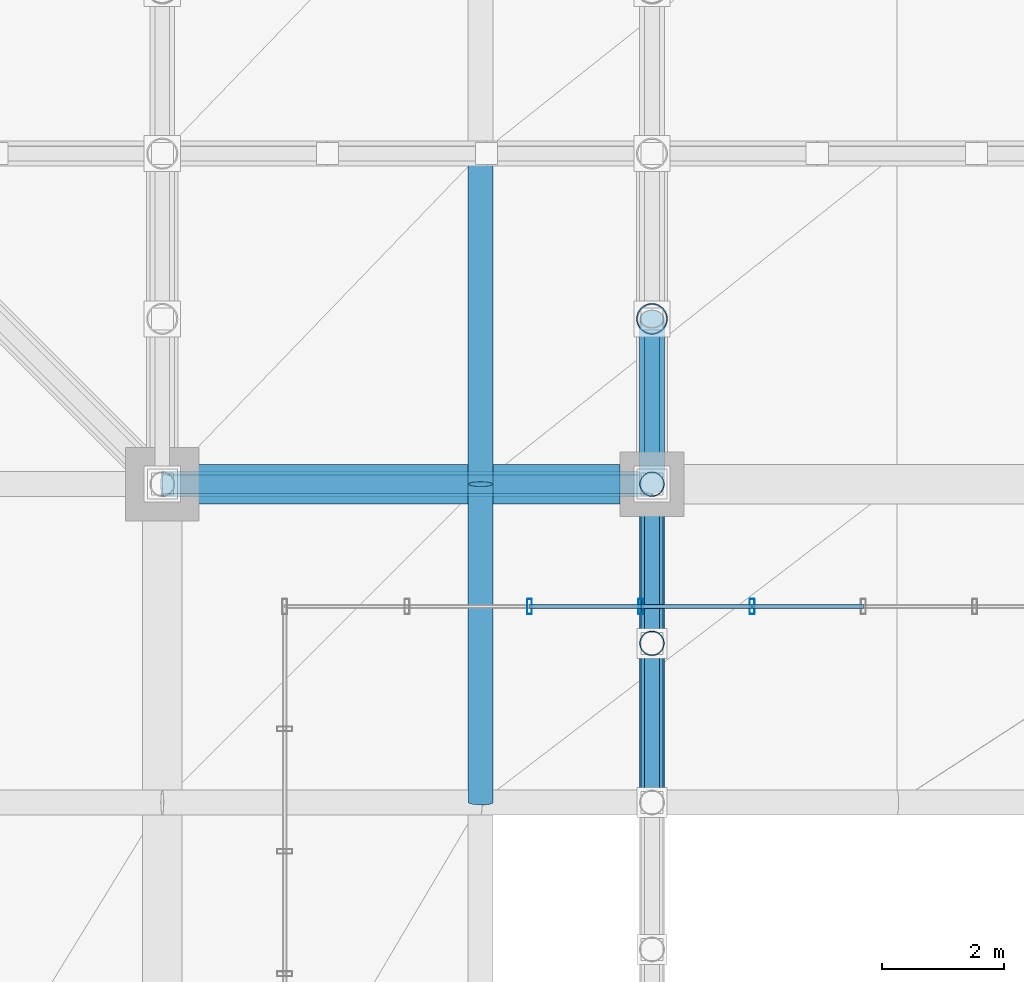
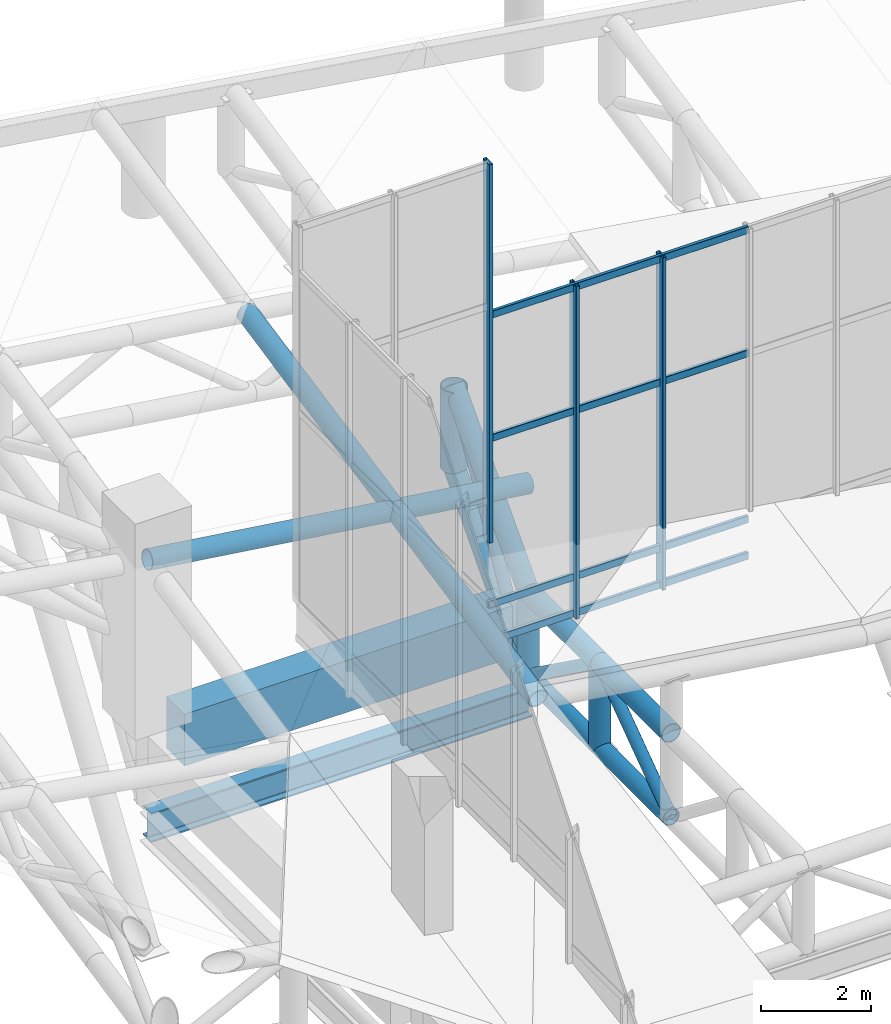
# One storey, part 42 of 137: 30 members, 2 beams, 2 elements without a shape of their own.
"""IFC4 building model written with IfcOpenShell, lengths in metres."""

from ifc_helpers import new_model, si_unit, direction, frame, origin, origin_2d, place, context, subcontext, project, spatial, rectangle, hollow_rectangle, hollow_circle, i_section, extrude, material, layer, layer_set, material_profile, profile_set, type_object, element, aggregate, save


model = new_model("IFC4")

# Units and contexts
model_context = context("Model", 3, precision=1e-05, world=origin(), true_north=direction((0.0, 1.0)))
body_context = subcontext(model_context, "Body", "Model", "MODEL_VIEW")
ifc_project = project(units=[si_unit("LENGTHUNIT", "METRE"), si_unit("AREAUNIT", "SQUARE_METRE"), si_unit("VOLUMEUNIT", "CUBIC_METRE"), si_unit("PLANEANGLEUNIT", "RADIAN"), si_unit("MASSUNIT", "GRAM", prefix="KILO")], contexts=[model_context])

# Site, building, storey
site_placement = place(None, origin())
site = spatial("IfcSite", under=ifc_project, at=site_placement, CompositionType="ELEMENT")
building_placement = place(site_placement, origin())
building = spatial("IfcBuilding", under=site, at=building_placement, Name="Khorjan Park Terminus", CompositionType="ELEMENT")
storey_placement = place(building_placement, frame((0.0, 0.0, 11.4)))
storey = spatial("IfcBuildingStorey", under=building, at=storey_placement, Name="L02", CompositionType="ELEMENT", Elevation=11.4)

# Members
ifc_material_1 = material(Name="Steel S355", Category="steel")
ifc_material_profile_1 = material_profile(ifc_material_1, hollow_circle(Radius=0.1222, WallThickness=0.0125, at=origin_2d()), Name="CHS 244.5x12.5")
ifc_profile_set_1 = profile_set([ifc_material_profile_1], Name="Steel S355")
member_type_1 = type_object("IfcMemberType", Name="MB-BR-245", PredefinedType="BRACE", material=ifc_profile_set_1)
for number, where, z_axis, x_axis, name in (
    (1, (56.0, 82.8, -1.92), (0.0, 0.811830357573, 0.583893372562), (-1.0, 0.0, 0.0), "Lower shell cantilever truss diagonal (2N)"),
    (2, (56.0, 85.4, -0.05), (0.0, 0.811830357573, -0.583893372562), (-1.0, 0.0, 0.0), "Lower shell cantilever truss diagonal (2N)"),
):
    element("IfcMember", number, at=place(storey_placement, frame(where, z_axis=z_axis, x_axis=x_axis)), inside=storey, type_object=member_type_1, Name=name, PredefinedType="BRACE", context=body_context, shape_type="SweptSolid", body=[
        extrude(hollow_circle(Radius=0.1222, WallThickness=0.0125, at=origin_2d()), origin(), (0.0, 0.0, 1.0), 3.2026),
    ])
ifc_material_profile_2 = material_profile(ifc_material_1, hollow_circle(Radius=0.1222, WallThickness=0.0125, at=origin_2d()), Name="CHS 244.5x12.5")
ifc_profile_set_2 = profile_set([ifc_material_profile_2], Name="Steel S355")
member_type_2 = type_object("IfcMemberType", Name="MB-BRE-245", PredefinedType="BRACE", material=ifc_profile_set_2)
member_1_placement = place(storey_placement, frame((56.0, 88.0, -1.92), z_axis=(0.0, 0.489695395281, 0.871893582865), x_axis=(-1.0, 0.0, 0.0)))
element("IfcMember", 3, at=member_1_placement, inside=storey, type_object=member_type_2, Name="Lower shell cantilever truss diagonal (2N)", PredefinedType="BRACE", context=body_context, shape_type="SweptSolid", body=[
    extrude(hollow_circle(Radius=0.1222, WallThickness=0.0125, at=origin_2d()), origin(), (0.0, 0.0, 1.0), 5.5136),
])
ifc_material_profile_3 = material_profile(ifc_material_1, hollow_circle(Radius=0.1778, WallThickness=0.016, at=origin_2d()), Name="CHS 355.6x16")
ifc_profile_set_3 = profile_set([ifc_material_profile_3], Name="Steel S355")
member_type_3 = type_object("IfcMemberType", Name="MB-CH-356", PredefinedType="CHORD", material=ifc_profile_set_3)
for number, where, z_axis, x_axis, name in (
    (4, (56.0, 82.8, -1.92), (0.0, 1.0, 0.0), (-1.0, 0.0, 0.0), "Lower shell cantilever truss bottom chord (2N)"),
    (5, (56.0, 85.4, -1.92), (0.0, 1.0, 0.0), (-1.0, 0.0, 0.0), "Lower shell cantilever truss bottom chord (2N)"),
):
    element("IfcMember", number, at=place(storey_placement, frame(where, z_axis=z_axis, x_axis=x_axis)), inside=storey, type_object=member_type_3, Name=name, PredefinedType="CHORD", context=body_context, shape_type="SweptSolid", body=[
        extrude(hollow_circle(Radius=0.1778, WallThickness=0.016, at=origin_2d()), origin(), (0.0, 0.0, 1.0), 2.6),
    ])
ifc_material_profile_4 = material_profile(ifc_material_1, hollow_circle(Radius=0.2032, WallThickness=0.016, at=origin_2d()), Name="CHS 406.4x16")
ifc_profile_set_4 = profile_set([ifc_material_profile_4], Name="Steel S355")
member_type_4 = type_object("IfcMemberType", Name="MB-CH-406", PredefinedType="CHORD", material=ifc_profile_set_4)
member_2_placement = place(storey_placement, frame((53.2, 82.8, 1.6975), z_axis=(0.0, 0.979804962844, 0.199955582033), x_axis=(-1.0, 0.0, 0.0)))
element("IfcMember", 6, at=member_2_placement, inside=storey, type_object=member_type_4, Name="Lower wrapping shell rim chord (135)", PredefinedType="CHORD", context=body_context, shape_type="SweptSolid", body=[
    extrude(hollow_circle(Radius=0.2032, WallThickness=0.016, at=origin_2d()), origin(), (0.0, 0.0, 1.0), 5.3072),
])
for number, where, z_axis, x_axis, name in (
    (7, (56.0, 82.8, -0.05), (0.0, 1.0, 0.0), (-1.0, 0.0, 0.0), "Lower shell cantilever truss top chord (2N)"),
    (8, (56.0, 85.4, -0.05), (0.0, 1.0, 0.0), (-1.0, 0.0, 0.0), "Lower shell cantilever truss top chord (2N)"),
):
    element("IfcMember", number, at=place(storey_placement, frame(where, z_axis=z_axis, x_axis=x_axis)), inside=storey, type_object=member_type_4, Name=name, PredefinedType="CHORD", context=body_context, shape_type="SweptSolid", body=[
        extrude(hollow_circle(Radius=0.2032, WallThickness=0.016, at=origin_2d()), origin(), (0.0, 0.0, 1.0), 2.6),
    ])
ifc_material_profile_5 = material_profile(ifc_material_1, hollow_circle(Radius=0.2032, WallThickness=0.016, at=origin_2d()), Name="CHS 406.4x16")
ifc_profile_set_5 = profile_set([ifc_material_profile_5], Name="Steel S355")
member_type_5 = type_object("IfcMemberType", Name="MB-CHE-406", PredefinedType="CHORD", material=ifc_profile_set_5)
member_3_placement = place(storey_placement, frame((48.0, 88.0, 3.4471), z_axis=(0.990628641265, 0.0, -0.136582923914), x_axis=(0.0, 1.0, 0.0)))
element("IfcMember", 9, at=member_3_placement, inside=storey, type_object=member_type_5, Name="Lower wrapping shell rim chord (107)", PredefinedType="CHORD", context=body_context, shape_type="SweptSolid", body=[
    extrude(hollow_circle(Radius=0.2032, WallThickness=0.016, at=origin_2d()), origin(), (0.0, 0.0, 1.0), 8.0757),
])
member_4_placement = place(storey_placement, frame((53.2, 88.0, 2.7587), z_axis=(0.0, 0.979805509738, 0.199952902172), x_axis=(-1.0, 0.0, 0.0)))
element("IfcMember", 10, at=member_4_placement, inside=storey, type_object=member_type_5, Name="Lower wrapping shell rim chord (136)", PredefinedType="CHORD", context=body_context, shape_type="SweptSolid", body=[
    extrude(hollow_circle(Radius=0.2032, WallThickness=0.016, at=origin_2d()), origin(), (0.0, 0.0, 1.0), 5.5113),
])
member_5_placement = place(storey_placement, frame((56.0, 88.0, -0.05), z_axis=(0.0, 0.676742076537, 0.736220185708), x_axis=(-1.0, 0.0, 0.0)))
element("IfcMember", 11, at=member_5_placement, inside=storey, type_object=member_type_5, Name="Lower shell cantilever truss top chord (2N)", PredefinedType="CHORD", context=body_context, shape_type="SweptSolid", body=[
    extrude(hollow_circle(Radius=0.2032, WallThickness=0.016, at=origin_2d()), origin(), (0.0, 0.0, 1.0), 3.9897),
])
member_6_placement = place(storey_placement, frame((56.0, 88.0, -1.92), z_axis=(0.0, 0.668066106511, 0.744101926708), x_axis=(-1.0, 0.0, 0.0)))
element("IfcMember", 12, at=member_6_placement, inside=storey, type_object=member_type_5, Name="Lower shell cantilever truss bottom chord (2N)", PredefinedType="CHORD", context=body_context, shape_type="SweptSolid", body=[
    extrude(hollow_circle(Radius=0.2032, WallThickness=0.016, at=origin_2d()), origin(), (0.0, 0.0, 1.0), 4.0415),
])
ifc_material_profile_6 = material_profile(ifc_material_1, hollow_circle(Radius=0.2032, WallThickness=0.016, at=origin_2d()), Name="CHS 406.4x16")
ifc_profile_set_6 = profile_set([ifc_material_profile_6], Name="Steel S355")
member_type_6 = type_object("IfcMemberType", Name="MB-ST-406", PredefinedType="STRUT", material=ifc_profile_set_6)
for number, where, z_axis, x_axis, name in (
    (13, (56.0, 85.4, -1.92), (0.0, 0.0, 1.0), (1.0, 0.0, 0.0), "Lower shell cantilever truss post (2N)"),
    (14, (56.0, 88.0, -1.92), (0.0, 0.0, 1.0), (1.0, 0.0, 0.0), "Lower shell cantilever truss post (2N)"),
):
    element("IfcMember", number, at=place(storey_placement, frame(where, z_axis=z_axis, x_axis=x_axis)), inside=storey, type_object=member_type_6, Name=name, PredefinedType="STRUT", context=body_context, shape_type="SweptSolid", body=[
        extrude(hollow_circle(Radius=0.2032, WallThickness=0.016, at=origin_2d()), origin(), (0.0, 0.0, 1.0), 1.87),
    ])
ifc_material_profile_7 = material_profile(ifc_material_1, hollow_circle(Radius=0.254, WallThickness=0.02, at=origin_2d()), Name="CHS 508x20")
ifc_profile_set_7 = profile_set([ifc_material_profile_7], Name="Steel S355")
member_type_7 = type_object("IfcMemberType", Name="MB-STE-508", PredefinedType="STRUT", material=ifc_profile_set_7)
member_7_placement = place(storey_placement, frame((56.0, 90.7, 1.0873), z_axis=(0.0, 0.0, 1.0), x_axis=(1.0, 0.0, 0.0)))
element("IfcMember", 15, at=member_7_placement, inside=storey, type_object=member_type_7, Name="Lower shell cantilever truss post (2N)", PredefinedType="STRUT", context=body_context, shape_type="SweptSolid", body=[
    extrude(hollow_circle(Radius=0.254, WallThickness=0.02, at=origin_2d()), origin(), (0.0, 0.0, 1.0), 1.8),
])

# Curtain wall, member
ifc_material_2 = material(Name="Anodized Bronze Aluminium", Category="aluminium")
ifc_layer = layer(ifc_material_2, 0.22)
ifc_layer_set = layer_set([ifc_layer], Name="Anodized Bronze Aluminium")
curtain_wall_type = type_object("IfcCurtainWallType", Name="CW-CONC-CLR", PredefinedType="NOTDEFINED", material=ifc_layer_set)
curtain_wall_1_placement = place(storey_placement, origin())
curtain_wall_1 = element("IfcCurtainWall", 16, at=curtain_wall_1_placement, inside=storey, type_object=curtain_wall_type, Name="Unitized curtain wall CW-CL (CW-V2-N-CLR-01)", PredefinedType="NOTDEFINED")
ifc_material_profile_8 = material_profile(ifc_material_2, hollow_rectangle(XDim=0.08, YDim=0.25, WallThickness=0.005, InnerFilletRadius=0.005, OuterFilletRadius=0.01, at=origin_2d()), Name="ALM 80x250x5")
ifc_profile_set_8 = profile_set([ifc_material_profile_8], Name="Anodized Bronze Aluminium")
member_type_8 = type_object("IfcMemberType", Name="ML-ALM-250", PredefinedType="MULLION", material=ifc_profile_set_8)
member_8_placement = place(storey_placement, frame((54.0, 86.0, 3.0059), z_axis=(0.0, 0.0, 1.0), x_axis=(-1.0, 0.0, 0.0)))
member_8 = element("IfcMember", 17, at=member_8_placement, type_object=member_type_8, Name="Curtain-wall mullion ML-25 (CW-V2-N-CLR-01-0)", PredefinedType="MULLION", context=body_context, shape_type="SweptSolid", body=[
    extrude(hollow_rectangle(XDim=0.08, YDim=0.25, WallThickness=0.005, InnerFilletRadius=0.005, OuterFilletRadius=0.01, at=origin_2d()), origin(), (0.0, 0.0, 1.0), 8.4011),
])
aggregate(curtain_wall_1, [member_8])

# Curtain wall, members
curtain_wall_2_placement = place(storey_placement, origin())
curtain_wall_2 = element("IfcCurtainWall", 18, at=curtain_wall_2_placement, inside=storey, type_object=curtain_wall_type, Name="Unitized curtain wall CW-CL (CW-V2-N-CLR-02)", PredefinedType="NOTDEFINED")
member_9_placement = place(storey_placement, frame((57.6364, 86.0, 0.6813), z_axis=(0.0, 0.0, 1.0), x_axis=(-1.0, 0.0, 0.0)))
member_9 = element("IfcMember", 19, at=member_9_placement, type_object=member_type_8, Name="Curtain-wall mullion ML-25 (CW-V2-N-CLR-02-9)", PredefinedType="MULLION", context=body_context, shape_type="SweptSolid", body=[
    extrude(hollow_rectangle(XDim=0.08, YDim=0.25, WallThickness=0.005, InnerFilletRadius=0.005, OuterFilletRadius=0.01, at=origin_2d()), origin(), (0.0, 0.0, 1.0), 7.382),
])
member_10_placement = place(storey_placement, frame((55.8182, 86.0, 0.6813), z_axis=(0.0, 0.0, 1.0), x_axis=(-1.0, 0.0, 0.0)))
member_10 = element("IfcMember", 20, at=member_10_placement, type_object=member_type_8, Name="Curtain-wall mullion ML-25 (CW-V2-N-CLR-02-10)", PredefinedType="MULLION", context=body_context, shape_type="SweptSolid", body=[
    extrude(hollow_rectangle(XDim=0.08, YDim=0.25, WallThickness=0.005, InnerFilletRadius=0.005, OuterFilletRadius=0.01, at=origin_2d()), origin(), (0.0, 0.0, 1.0), 7.382),
])

# Beams
ifc_material_profile_9 = material_profile(ifc_material_1, i_section(OverallWidth=0.3, OverallDepth=0.65, WebThickness=0.016, FlangeThickness=0.031, FilletRadius=0.027, at=origin_2d()), Name="HEB 650")
ifc_profile_set_9 = profile_set([ifc_material_profile_9], Name="Steel S355")
beam_type_1 = type_object("IfcBeamType", Name="SP-HEB650E", PredefinedType="SPANDREL", material=ifc_profile_set_9)
beam_1_placement = place(storey_placement, frame((48.0, 88.0, -2.425), z_axis=(1.0, 0.0, 0.0), x_axis=(0.0, 1.0, 0.0)))
element("IfcBeam", 21, at=beam_1_placement, inside=storey, type_object=beam_type_1, Name="Lower shell truss support girder SP-E65 (X12)", PredefinedType="SPANDREL", context=body_context, shape_type="SweptSolid", body=[
    extrude(i_section(OverallWidth=0.3, OverallDepth=0.65, WebThickness=0.016, FlangeThickness=0.031, FilletRadius=0.027, at=origin_2d()), origin(), (0.0, 0.0, 1.0), 8.0),
])
ifc_material_3 = material(Name="Concrete C50/60", Category="concrete")
ifc_material_profile_10 = material_profile(ifc_material_3, rectangle(XDim=0.65, YDim=1.15, at=origin_2d()), Name="RC 650x1150")
ifc_profile_set_10 = profile_set([ifc_material_profile_10], Name="Concrete C50/60")
beam_type_2 = type_object("IfcBeamType", Name="SP-RC650x1150", PredefinedType="SPANDREL", material=ifc_profile_set_10)
beam_2_placement = place(storey_placement, frame((48.595, 88.0, -0.575), z_axis=(1.0, 0.0, 0.0), x_axis=(0.0, 1.0, 0.0)))
element("IfcBeam", 22, at=beam_2_placement, inside=storey, type_object=beam_type_2, Name="Concourse lower colonnade ring beam SP-11 (L02-38)", PredefinedType="SPANDREL", context=body_context, shape_type="SweptSolid", body=[
    extrude(rectangle(XDim=0.65, YDim=1.15, at=origin_2d()), origin(), (0.0, 0.0, 1.0), 6.885),
])

# Member
ifc_material_profile_11 = material_profile(ifc_material_2, hollow_rectangle(XDim=0.07, YDim=0.16, WallThickness=0.004, InnerFilletRadius=0.004, OuterFilletRadius=0.008, at=origin_2d()), Name="ALT 70x160x4")
ifc_profile_set_11 = profile_set([ifc_material_profile_11], Name="Anodized Bronze Aluminium")
member_type_9 = type_object("IfcMemberType", Name="TR-ALT-160", PredefinedType="USERDEFINED", material=ifc_profile_set_11)
member_11_placement = place(storey_placement, frame((59.4545, 86.0, 0.7563), z_axis=(-1.0, 0.0, 0.0), x_axis=(0.0, -1.0, 0.0)))
member_11 = element("IfcMember", 23, at=member_11_placement, type_object=member_type_9, Name="Curtain-wall transom TR-16 (CW-V2-N-CLR-02-8-1)", ObjectType="TRANSOM", PredefinedType="USERDEFINED", context=body_context, shape_type="SweptSolid", body=[
    extrude(hollow_rectangle(XDim=0.07, YDim=0.16, WallThickness=0.004, InnerFilletRadius=0.004, OuterFilletRadius=0.008, at=origin_2d()), origin(), (0.0, 0.0, 1.0), 1.8181),
])

member_12_placement = place(storey_placement, frame((59.4545, 86.0, 1.5663), z_axis=(-1.0, 0.0, 0.0), x_axis=(0.0, -1.0, 0.0)))
member_12 = element("IfcMember", 24, at=member_12_placement, type_object=member_type_9, Name="Curtain-wall transom TR-16 (CW-V2-N-CLR-02-8-2)", ObjectType="TRANSOM", PredefinedType="USERDEFINED", context=body_context, shape_type="SweptSolid", body=[
    extrude(hollow_rectangle(XDim=0.07, YDim=0.16, WallThickness=0.004, InnerFilletRadius=0.004, OuterFilletRadius=0.008, at=origin_2d()), origin(), (0.0, 0.0, 1.0), 1.8181),
])

member_13_placement = place(storey_placement, frame((59.4545, 86.0, 5.2497), z_axis=(-1.0, 0.0, 0.0), x_axis=(0.0, -1.0, 0.0)))
member_13 = element("IfcMember", 25, at=member_13_placement, type_object=member_type_9, Name="Curtain-wall transom TR-16 (CW-V2-N-CLR-02-8-3)", ObjectType="TRANSOM", PredefinedType="USERDEFINED", context=body_context, shape_type="SweptSolid", body=[
    extrude(hollow_rectangle(XDim=0.07, YDim=0.16, WallThickness=0.004, InnerFilletRadius=0.004, OuterFilletRadius=0.008, at=origin_2d()), origin(), (0.0, 0.0, 1.0), 1.8181),
])

member_14_placement = place(storey_placement, frame((59.4545, 86.0, 7.9883), z_axis=(-1.0, 0.0, 0.0), x_axis=(0.0, -1.0, 0.0)))
member_14 = element("IfcMember", 26, at=member_14_placement, type_object=member_type_9, Name="Curtain-wall transom TR-16 (CW-V2-N-CLR-02-8-4)", ObjectType="TRANSOM", PredefinedType="USERDEFINED", context=body_context, shape_type="SweptSolid", body=[
    extrude(hollow_rectangle(XDim=0.07, YDim=0.16, WallThickness=0.004, InnerFilletRadius=0.004, OuterFilletRadius=0.008, at=origin_2d()), origin(), (0.0, 0.0, 1.0), 1.8181),
])

member_15_placement = place(storey_placement, frame((57.6364, 86.0, 0.7563), z_axis=(-1.0, 0.0, 0.0), x_axis=(0.0, -1.0, 0.0)))
member_15 = element("IfcMember", 27, at=member_15_placement, type_object=member_type_9, Name="Curtain-wall transom TR-16 (CW-V2-N-CLR-02-9-1)", ObjectType="TRANSOM", PredefinedType="USERDEFINED", context=body_context, shape_type="SweptSolid", body=[
    extrude(hollow_rectangle(XDim=0.07, YDim=0.16, WallThickness=0.004, InnerFilletRadius=0.004, OuterFilletRadius=0.008, at=origin_2d()), origin(), (0.0, 0.0, 1.0), 1.8182),
])

member_16_placement = place(storey_placement, frame((57.6364, 86.0, 1.5663), z_axis=(-1.0, 0.0, 0.0), x_axis=(0.0, -1.0, 0.0)))
member_16 = element("IfcMember", 28, at=member_16_placement, type_object=member_type_9, Name="Curtain-wall transom TR-16 (CW-V2-N-CLR-02-9-2)", ObjectType="TRANSOM", PredefinedType="USERDEFINED", context=body_context, shape_type="SweptSolid", body=[
    extrude(hollow_rectangle(XDim=0.07, YDim=0.16, WallThickness=0.004, InnerFilletRadius=0.004, OuterFilletRadius=0.008, at=origin_2d()), origin(), (0.0, 0.0, 1.0), 1.8182),
])

member_17_placement = place(storey_placement, frame((57.6364, 86.0, 5.2497), z_axis=(-1.0, 0.0, 0.0), x_axis=(0.0, -1.0, 0.0)))
member_17 = element("IfcMember", 29, at=member_17_placement, type_object=member_type_9, Name="Curtain-wall transom TR-16 (CW-V2-N-CLR-02-9-3)", ObjectType="TRANSOM", PredefinedType="USERDEFINED", context=body_context, shape_type="SweptSolid", body=[
    extrude(hollow_rectangle(XDim=0.07, YDim=0.16, WallThickness=0.004, InnerFilletRadius=0.004, OuterFilletRadius=0.008, at=origin_2d()), origin(), (0.0, 0.0, 1.0), 1.8182),
])

member_18_placement = place(storey_placement, frame((57.6364, 86.0, 7.9883), z_axis=(-1.0, 0.0, 0.0), x_axis=(0.0, -1.0, 0.0)))
member_18 = element("IfcMember", 30, at=member_18_placement, type_object=member_type_9, Name="Curtain-wall transom TR-16 (CW-V2-N-CLR-02-9-4)", ObjectType="TRANSOM", PredefinedType="USERDEFINED", context=body_context, shape_type="SweptSolid", body=[
    extrude(hollow_rectangle(XDim=0.07, YDim=0.16, WallThickness=0.004, InnerFilletRadius=0.004, OuterFilletRadius=0.008, at=origin_2d()), origin(), (0.0, 0.0, 1.0), 1.8182),
])

member_19_placement = place(storey_placement, frame((55.8182, 86.0, 0.7563), z_axis=(-1.0, 0.0, 0.0), x_axis=(0.0, -1.0, 0.0)))
member_19 = element("IfcMember", 31, at=member_19_placement, type_object=member_type_9, Name="Curtain-wall transom TR-16 (CW-V2-N-CLR-02-10-1)", ObjectType="TRANSOM", PredefinedType="USERDEFINED", context=body_context, shape_type="SweptSolid", body=[
    extrude(hollow_rectangle(XDim=0.07, YDim=0.16, WallThickness=0.004, InnerFilletRadius=0.004, OuterFilletRadius=0.008, at=origin_2d()), origin(), (0.0, 0.0, 1.0), 1.8182),
])

member_20_placement = place(storey_placement, frame((55.8182, 86.0, 1.5663), z_axis=(-1.0, 0.0, 0.0), x_axis=(0.0, -1.0, 0.0)))
member_20 = element("IfcMember", 32, at=member_20_placement, type_object=member_type_9, Name="Curtain-wall transom TR-16 (CW-V2-N-CLR-02-10-2)", ObjectType="TRANSOM", PredefinedType="USERDEFINED", context=body_context, shape_type="SweptSolid", body=[
    extrude(hollow_rectangle(XDim=0.07, YDim=0.16, WallThickness=0.004, InnerFilletRadius=0.004, OuterFilletRadius=0.008, at=origin_2d()), origin(), (0.0, 0.0, 1.0), 1.8182),
])

member_21_placement = place(storey_placement, frame((55.8182, 86.0, 5.2497), z_axis=(-1.0, 0.0, 0.0), x_axis=(0.0, -1.0, 0.0)))
member_21 = element("IfcMember", 33, at=member_21_placement, type_object=member_type_9, Name="Curtain-wall transom TR-16 (CW-V2-N-CLR-02-10-3)", ObjectType="TRANSOM", PredefinedType="USERDEFINED", context=body_context, shape_type="SweptSolid", body=[
    extrude(hollow_rectangle(XDim=0.07, YDim=0.16, WallThickness=0.004, InnerFilletRadius=0.004, OuterFilletRadius=0.008, at=origin_2d()), origin(), (0.0, 0.0, 1.0), 1.8182),
])

member_22_placement = place(storey_placement, frame((55.8182, 86.0, 7.9883), z_axis=(-1.0, 0.0, 0.0), x_axis=(0.0, -1.0, 0.0)))
member_22 = element("IfcMember", 34, at=member_22_placement, type_object=member_type_9, Name="Curtain-wall transom TR-16 (CW-V2-N-CLR-02-10-4)", ObjectType="TRANSOM", PredefinedType="USERDEFINED", context=body_context, shape_type="SweptSolid", body=[
    extrude(hollow_rectangle(XDim=0.07, YDim=0.16, WallThickness=0.004, InnerFilletRadius=0.004, OuterFilletRadius=0.008, at=origin_2d()), origin(), (0.0, 0.0, 1.0), 1.8182),
])

aggregate(curtain_wall_2, [member_9, member_10, member_11, member_12, member_13, member_14, member_15, member_16, member_17, member_18, member_19, member_20, member_21, member_22])

save(model, "model.ifc")
